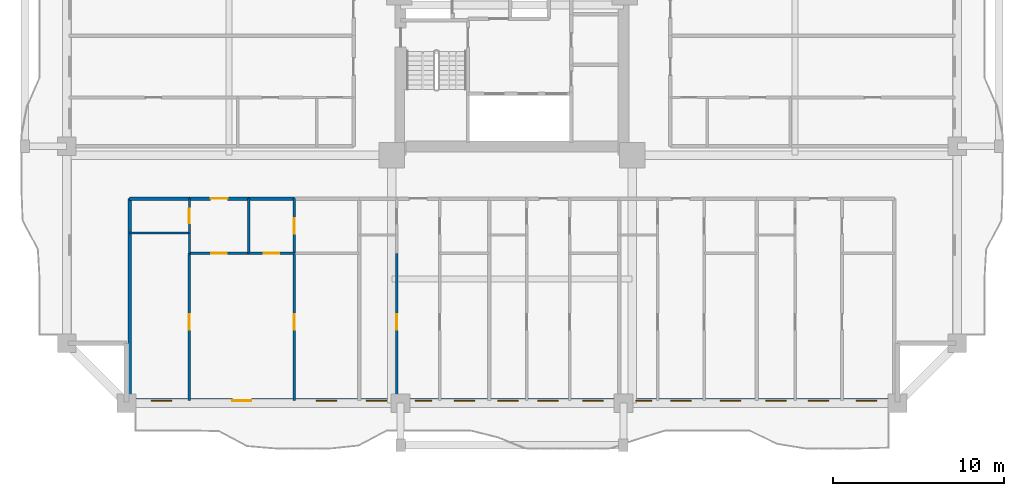
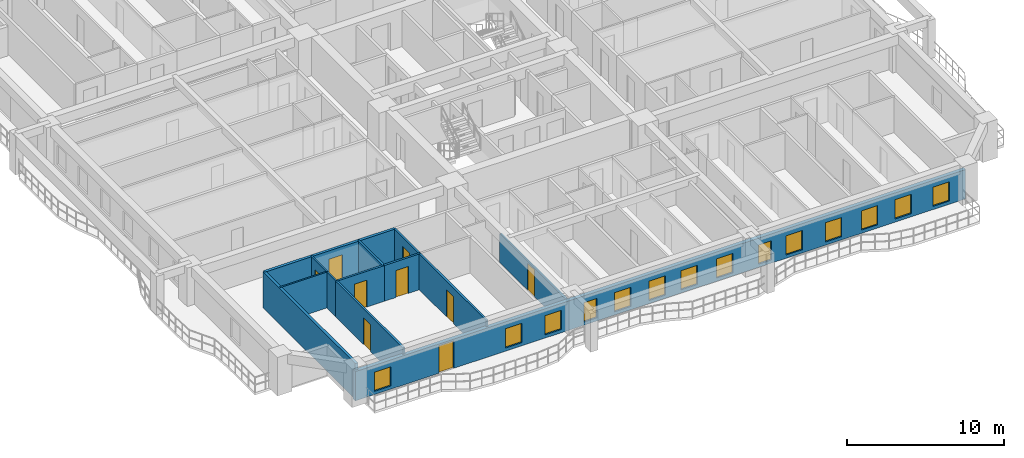
# One storey, part 2 of 16: 15 walls, 14 windows, 9 doors, 23 openings.
"""IFC4 building model written with IfcOpenShell, lengths in metres."""

import ifcopenshell
import ifcopenshell.guid

model = None  # the IFC model being written
_history = None  # IfcOwnerHistory: only IFC2X3 demands one
_inside = {}  # id of a spatial element -> (the spatial element, [elements in it])
_under = {}  # id of a project, library or spatial element -> (it, [spatial elements below it])
_declared = {}  # id of a project -> (the project, [libraries it declares])
_typed = {}  # id of a type object -> (the type object, [elements of that type])
_made_of = {}  # id of a material, layer set ... -> (it, [elements and type objects made of it])


def new_model(schema):
    """Start an empty IFC model of exactly this schema.

    Asked for "IFC4X3", IfcOpenShell would pick the latest addendum, in which some entities
    have other attributes; the version numbers below select the first issue.
    IFC2X3 requires an IfcOwnerHistory on every rooted entity: one is made here for all.
    """
    global model, _history
    if schema == "IFC4X3":
        model = ifcopenshell.file(schema_version=(4, 3, 0, 0))
    else:
        model = ifcopenshell.file(schema=schema)
    _inside.clear()
    _under.clear()
    _declared.clear()
    _typed.clear()
    _made_of.clear()
    _history = None
    if model.schema == "IFC2X3":
        org = make("IfcOrganization", Name="unknown")
        user = make(
            "IfcPersonAndOrganization",
            ThePerson=make("IfcPerson", FamilyName="unknown"),
            TheOrganization=org,
        )
        app = make(
            "IfcApplication",
            ApplicationDeveloper=org,
            Version="unknown",
            ApplicationFullName="unknown",
            ApplicationIdentifier="unknown",
        )
        _history = make(
            "IfcOwnerHistory",
            OwningUser=user,
            OwningApplication=app,
            ChangeAction="ADDED",
            CreationDate=0,
        )
    return model


def make(cls, **values):
    """One entity of the class cls with the attributes given. An attribute that is None is left unset."""
    return model.create_entity(
        cls, **{name: value for name, value in values.items() if value is not None}
    )


def rooted(cls, **values):
    """An entity with a GlobalId (a new one), such as an element, a storey or a relation."""
    return make(cls, GlobalId=ifcopenshell.guid.new(), OwnerHistory=_history, **values)


def si_unit(unit_type, name, prefix=None):
    """IfcSIUnit, for example si_unit("LENGTHUNIT", "METRE", prefix="MILLI")."""
    return make("IfcSIUnit", UnitType=unit_type, Prefix=prefix, Name=name)


def assignment(units):
    """IfcUnitAssignment: the units of a project."""
    return None if units is None else make("IfcUnitAssignment", Units=units)


def point(xyz):
    """IfcCartesianPoint."""
    return None if xyz is None else make("IfcCartesianPoint", Coordinates=xyz)


def direction(xyz):
    """IfcDirection."""
    return None if xyz is None else make("IfcDirection", DirectionRatios=xyz)


def frame(location, z_axis=None, x_axis=None):
    """IfcAxis2Placement3D, a coordinate frame: its origin and axes. An axis left out is left unset."""
    return make(
        "IfcAxis2Placement3D",
        Location=point(location),
        Axis=direction(z_axis),
        RefDirection=direction(x_axis),
    )


def frame_2d(location, x_axis=None):
    """IfcAxis2Placement2D, a coordinate frame in the plane: its origin and x axis."""
    return make(
        "IfcAxis2Placement2D", Location=point(location), RefDirection=direction(x_axis)
    )


def origin():
    """The frame at (0, 0, 0) with its axes left unset."""
    return frame((0.0, 0.0, 0.0))


def place(relative_to, where):
    """IfcLocalPlacement: puts the frame where relative to a parent placement (None: the world)."""
    return make(
        "IfcLocalPlacement", PlacementRelTo=relative_to, RelativePlacement=where
    )


def context(
    kind, dimensions, precision=None, world=None, true_north=None, identifier=None
):
    """IfcGeometricRepresentationContext, for example the 3D "Model" context."""
    return make(
        "IfcGeometricRepresentationContext",
        ContextIdentifier=identifier,
        ContextType=kind,
        CoordinateSpaceDimension=dimensions,
        Precision=precision,
        WorldCoordinateSystem=world,
        TrueNorth=true_north,
    )


def subcontext(parent, identifier, kind, view, scale=None):
    """IfcGeometricRepresentationSubContext, for example "Body" below "Model"."""
    return make(
        "IfcGeometricRepresentationSubContext",
        ContextIdentifier=identifier,
        ContextType=kind,
        ParentContext=parent,
        TargetScale=scale,
        TargetView=view,
    )


def project(units=None, contexts=None):
    """IfcProject with its units and contexts."""
    return rooted(
        "IfcProject",
        Name="project",
        RepresentationContexts=contexts,
        UnitsInContext=assignment(units),
    )


def spatial(cls, under=None, at=None, **own):
    """A site, building, storey or space (cls), placed at a placement, below another one or the project."""
    s = rooted(cls, ObjectPlacement=at, **own)
    if under is not None:
        _under.setdefault(under.id(), (under, []))[1].append(s)
    return s


def profile(cls, at=None, kind="AREA", **sizes):
    """A parametric profile (cls). Its sizes go by their IFC names, for example OverallWidth=200.0."""
    return make(cls, ProfileType=kind, Position=at, **sizes)


def rectangle(**sizes):
    """IfcRectangleProfileDef."""
    return profile("IfcRectangleProfileDef", **sizes)


def extrude(swept, where, along, depth):
    """IfcExtrudedAreaSolid: the profile swept, set in the frame where, extruded along a direction by depth."""
    return make(
        "IfcExtrudedAreaSolid",
        SweptArea=swept,
        Position=where,
        ExtrudedDirection=direction(along),
        Depth=depth,
    )


def shape(context_of_items, identifier, shape_type, items):
    """IfcShapeRepresentation: the items that make up one representation, for example the "Body"."""
    return make(
        "IfcShapeRepresentation",
        ContextOfItems=context_of_items,
        RepresentationIdentifier=identifier,
        RepresentationType=shape_type,
        Items=items,
    )


def source(mapping_origin, context_of_items, identifier, shape_type, items):
    """IfcRepresentationMap: a shape defined once, which mapped items show again and again."""
    return make(
        "IfcRepresentationMap",
        MappingOrigin=mapping_origin,
        MappedRepresentation=shape(context_of_items, identifier, shape_type, items),
    )


def transform(
    local_origin,
    x_axis=None,
    y_axis=None,
    z_axis=None,
    scale=None,
    scale2=None,
    scale3=None,
    uniform=True,
):
    """IfcCartesianTransformationOperator3D, or its non-uniform kind. x_axis, y_axis, z_axis: its Axis1, 2, 3."""
    if uniform:
        return make(
            "IfcCartesianTransformationOperator3D",
            Axis1=direction(x_axis),
            Axis2=direction(y_axis),
            LocalOrigin=point(local_origin),
            Scale=scale,
            Axis3=direction(z_axis),
        )
    return make(
        "IfcCartesianTransformationOperator3DnonUniform",
        Axis1=direction(x_axis),
        Axis2=direction(y_axis),
        LocalOrigin=point(local_origin),
        Scale=scale,
        Axis3=direction(z_axis),
        Scale2=scale2,
        Scale3=scale3,
    )


def mapped(mapping_source, mapping_target):
    """IfcMappedItem: shows the shape of a source again, moved by a transform."""
    return make(
        "IfcMappedItem", MappingSource=mapping_source, MappingTarget=mapping_target
    )


def material(Name=None, Category=None):
    """IfcMaterial."""
    return make("IfcMaterial", Name=Name, Category=Category)


def layer(
    of_material, thickness, ventilated=None, Name=None, Category=None, Priority=None
):
    """IfcMaterialLayer: one layer of a wall or slab, of a material (None: an air gap)."""
    return make(
        "IfcMaterialLayer",
        Material=of_material,
        LayerThickness=thickness,
        IsVentilated=ventilated,
        Name=Name,
        Category=Category,
        Priority=Priority,
    )


def layer_set(layers, Name=None):
    """IfcMaterialLayerSet."""
    return make("IfcMaterialLayerSet", MaterialLayers=layers, LayerSetName=Name)


def made_of(thing, what):
    """Note that an element or type object is made of a material, layer set ...; save() writes the relation."""
    if what is not None:
        _made_of.setdefault(what.id(), (what, []))[1].append(thing)
    return thing


def type_object(cls, material=None, **own):
    """A type object (cls), such as IfcWallType, which elements share."""
    return made_of(rooted(cls, **own), material)


def element(
    cls,
    number,
    at=None,
    inside=None,
    cuts=None,
    type_object=None,
    material=None,
    context=None,
    identifier="Body",
    shape_type=None,
    held_by="IfcProductDefinitionShape",
    body=None,
    shapes=None,
    **own,
):
    """One element of the class cls, such as IfcWall. Its Tag is "e" and its number.

    at: its placement. inside: the storey or other place that contains it. cuts: it is an
    opening in that element (IfcRelVoidsElement). A single representation is given by context,
    identifier, shape_type and body (its items); several are given by shapes. held_by: the class
    of the entity that holds the representations. save() writes the other relations.
    """
    e = rooted(cls, Tag="e%d" % number, ObjectPlacement=at, **own)
    if body is not None:
        shapes = [shape(context, identifier, shape_type, body)]
    if shapes is not None:
        e.Representation = make(held_by, Representations=shapes)
    if inside is not None:
        _inside.setdefault(inside.id(), (inside, []))[1].append(e)
    if cuts is not None:
        rooted(
            "IfcRelVoidsElement", RelatingBuildingElement=cuts, RelatedOpeningElement=e
        )
    if type_object is not None:
        _typed.setdefault(type_object.id(), (type_object, []))[1].append(e)
    return made_of(e, material)


def fill(opening, filler):
    """IfcRelFillsElement: the door or window that sits in an opening."""
    return rooted(
        "IfcRelFillsElement",
        RelatingOpeningElement=opening,
        RelatedBuildingElement=filler,
    )


def aggregate(whole, parts):
    """IfcRelAggregates: a whole, such as a stair, and the parts it consists of."""
    return rooted("IfcRelAggregates", RelatingObject=whole, RelatedObjects=parts)


def save(model, path):
    """Write the relations noted so far, then the file.

    IfcRelAggregates (storeys below a building ...), IfcRelContainedInSpatialStructure (elements
    in a storey), IfcRelDefinesByType, IfcRelAssociatesMaterial and IfcRelDeclares: one each for
    every whole, place, type object, material and project.
    """
    for whole, parts in _under.values():
        aggregate(whole, parts)
    for where, things in _inside.values():
        rooted(
            "IfcRelContainedInSpatialStructure",
            RelatedElements=things,
            RelatingStructure=where,
        )
    for kind, things in _typed.values():
        rooted("IfcRelDefinesByType", RelatedObjects=things, RelatingType=kind)
    for what, things in _made_of.values():
        rooted("IfcRelAssociatesMaterial", RelatedObjects=things, RelatingMaterial=what)
    for by, libraries in _declared.values():
        rooted("IfcRelDeclares", RelatingContext=by, RelatedDefinitions=libraries)
    model.write(path)


model = new_model("IFC4")

# Units and contexts
model_context = context("Model", 3, precision=1e-05, world=origin(), true_north=direction((0.0, 1.0)))
body_context = subcontext(model_context, "Body", "Model", "MODEL_VIEW")
ifc_project = project(units=[si_unit("LENGTHUNIT", "METRE"), si_unit("AREAUNIT", "SQUARE_METRE"), si_unit("VOLUMEUNIT", "CUBIC_METRE"), si_unit("PLANEANGLEUNIT", "RADIAN"), si_unit("MASSUNIT", "GRAM", prefix="KILO")], contexts=[model_context])

# Site, building, storey
site_placement = place(None, origin())
site = spatial("IfcSite", under=ifc_project, at=site_placement, CompositionType="ELEMENT")
building_placement = place(site_placement, origin())
building = spatial("IfcBuilding", under=site, at=building_placement, Name="Saelheon Loggia Tower", CompositionType="ELEMENT")
storey_placement = place(building_placement, frame((0.0, 0.0, 55.39990234375)))
storey = spatial("IfcBuildingStorey", under=building, at=storey_placement, Name="L17", CompositionType="ELEMENT", Elevation=55.39990234375)

# Wall, openings, windows, door
ifc_material_1 = material(Name="Architectural Precast Concrete C40/50", Category="concrete")
ifc_layer_1 = layer(ifc_material_1, 0.280029296875)
ifc_layer_set_1 = layer_set([ifc_layer_1], Name="Architectural Precast Concrete C40/50")
wall_type_1 = type_object("IfcWallType", Name="Wall_Ext_Loggia_280", PredefinedType="SOLIDWALL", material=ifc_layer_set_1)
wall_1_placement = place(storey_placement, frame((15.5, 3.139892578125, 0.0), z_axis=(0.0, 0.0, 1.0), x_axis=(1.0, 0.0, 0.0)))
wall_1 = element("IfcWall", 1, at=wall_1_placement, inside=storey, type_object=wall_type_1, Name="L17 South Loggia Inner Wall", PredefinedType="SOLIDWALL", context=body_context, shape_type="SweptSolid", body=[
    extrude(rectangle(XDim=45.0, YDim=0.280029296875, at=frame_2d((22.5, 0.0))), origin(), (0.0, 0.0, 1.0), 2.280029296875),
])
opening_1_placement = place(wall_1_placement, frame((1.42578125, 0.0, 0.25)))
opening_1 = element("IfcOpeningElement", 2, at=opening_1_placement, cuts=wall_1, Name="Opening WN-03", PredefinedType="OPENING", context=body_context, shape_type="SweptSolid", body=[
    extrude(rectangle(XDim=1.199951171875, YDim=1.5, at=frame_2d((0.60009765625, 0.75))), frame((0.0, 0.152099609375, 0.0), z_axis=(0.0, -1.0, 0.0), x_axis=(1.0, 0.0, 0.0)), (0.0, 0.0, 1.0), 0.303955078125),
])
opening_2_placement = place(wall_1_placement, frame((7.277587890625, 0.0, 0.0), z_axis=(0.0, 0.0, 1.0), x_axis=(-1.0, 0.0, 0.0)))
opening_2 = element("IfcOpeningElement", 3, at=opening_2_placement, cuts=wall_1, Name="Opening TD1", PredefinedType="OPENING", context=body_context, shape_type="SweptSolid", body=[
    extrude(rectangle(XDim=1.10009765625, YDim=2.14990234375, at=frame_2d((0.550048828125, 1.074951171875))), frame((0.0, 0.152099609375, 0.0), z_axis=(0.0, -1.0, 0.0), x_axis=(1.0, 0.0, 0.0)), (0.0, 0.0, 1.0), 0.303955078125),
])
opening_3_placement = place(wall_1_placement, frame((11.08251953125, 0.0, 0.25)))
opening_3 = element("IfcOpeningElement", 4, at=opening_3_placement, cuts=wall_1, Name="Opening WN-03", PredefinedType="OPENING", context=body_context, shape_type="SweptSolid", body=[
    extrude(rectangle(XDim=1.199951171875, YDim=1.5, at=frame_2d((0.60009765625, 0.75))), frame((0.0, 0.152099609375, 0.0), z_axis=(0.0, -1.0, 0.0), x_axis=(1.0, 0.0, 0.0)), (0.0, 0.0, 1.0), 0.303955078125),
])
opening_4_placement = place(wall_1_placement, frame((13.990966796875, 0.0, 0.25)))
opening_4 = element("IfcOpeningElement", 5, at=opening_4_placement, cuts=wall_1, Name="Opening WN-03", PredefinedType="OPENING", context=body_context, shape_type="SweptSolid", body=[
    extrude(rectangle(XDim=1.199951171875, YDim=1.5, at=frame_2d((0.60009765625, 0.75))), frame((0.0, 0.152099609375, 0.0), z_axis=(0.0, -1.0, 0.0), x_axis=(1.0, 0.0, 0.0)), (0.0, 0.0, 1.0), 0.303955078125),
])
opening_5_placement = place(wall_1_placement, frame((16.8583984375, 0.0, 0.25)))
opening_5 = element("IfcOpeningElement", 6, at=opening_5_placement, cuts=wall_1, Name="Opening WN-04", PredefinedType="OPENING", context=body_context, shape_type="SweptSolid", body=[
    extrude(rectangle(XDim=0.949951171875, YDim=1.5, at=frame_2d((0.47509765625, 0.75))), frame((0.0, 0.152099609375, 0.0), z_axis=(0.0, -1.0, 0.0), x_axis=(1.0, 0.0, 0.0)), (0.0, 0.0, 1.0), 0.303955078125),
])
opening_6_placement = place(wall_1_placement, frame((19.118896484375, 0.0, 0.25)))
opening_6 = element("IfcOpeningElement", 7, at=opening_6_placement, cuts=wall_1, Name="Opening WN-03", PredefinedType="OPENING", context=body_context, shape_type="SweptSolid", body=[
    extrude(rectangle(XDim=1.199951171875, YDim=1.5, at=frame_2d((0.60009765625, 0.75))), frame((0.0, 0.152099609375, 0.0), z_axis=(0.0, -1.0, 0.0), x_axis=(1.0, 0.0, 0.0)), (0.0, 0.0, 1.0), 0.303955078125),
])
opening_7_placement = place(wall_1_placement, frame((21.660888671875, 0.0, 0.25)))
opening_7 = element("IfcOpeningElement", 8, at=opening_7_placement, cuts=wall_1, Name="Opening WN-03", PredefinedType="OPENING", context=body_context, shape_type="SweptSolid", body=[
    extrude(rectangle(XDim=1.199951171875, YDim=1.5, at=frame_2d((0.60009765625, 0.75))), frame((0.0, 0.152099609375, 0.0), z_axis=(0.0, -1.0, 0.0), x_axis=(1.0, 0.0, 0.0)), (0.0, 0.0, 1.0), 0.303955078125),
])
opening_8_placement = place(wall_1_placement, frame((24.01318359375, 0.0, 0.25)))
opening_8 = element("IfcOpeningElement", 9, at=opening_8_placement, cuts=wall_1, Name="Opening WN-03", PredefinedType="OPENING", context=body_context, shape_type="SweptSolid", body=[
    extrude(rectangle(XDim=1.199951171875, YDim=1.5, at=frame_2d((0.60009765625, 0.75))), frame((0.0, 0.152099609375, 0.0), z_axis=(0.0, -1.0, 0.0), x_axis=(1.0, 0.0, 0.0)), (0.0, 0.0, 1.0), 0.303955078125),
])
opening_9_placement = place(wall_1_placement, frame((26.637939453125, 0.0, 0.25)))
opening_9 = element("IfcOpeningElement", 10, at=opening_9_placement, cuts=wall_1, Name="Opening WN-03", PredefinedType="OPENING", context=body_context, shape_type="SweptSolid", body=[
    extrude(rectangle(XDim=1.199951171875, YDim=1.5, at=frame_2d((0.60009765625, 0.75))), frame((0.0, 0.152099609375, 0.0), z_axis=(0.0, -1.0, 0.0), x_axis=(1.0, 0.0, 0.0)), (0.0, 0.0, 1.0), 0.303955078125),
])
opening_10_placement = place(wall_1_placement, frame((29.7197265625, 0.0, 0.25)))
opening_10 = element("IfcOpeningElement", 11, at=opening_10_placement, cuts=wall_1, Name="Opening WN-04", PredefinedType="OPENING", context=body_context, shape_type="SweptSolid", body=[
    extrude(rectangle(XDim=0.949951171875, YDim=1.5, at=frame_2d((0.47509765625, 0.75))), frame((0.0, 0.152099609375, 0.0), z_axis=(0.0, -1.0, 0.0), x_axis=(1.0, 0.0, 0.0)), (0.0, 0.0, 1.0), 0.303955078125),
])
opening_11_placement = place(wall_1_placement, frame((31.765380859375, 0.0, 0.25)))
opening_11 = element("IfcOpeningElement", 12, at=opening_11_placement, cuts=wall_1, Name="Opening WN-03", PredefinedType="OPENING", context=body_context, shape_type="SweptSolid", body=[
    extrude(rectangle(XDim=1.199951171875, YDim=1.5, at=frame_2d((0.60009765625, 0.75))), frame((0.0, 0.152099609375, 0.0), z_axis=(0.0, -1.0, 0.0), x_axis=(1.0, 0.0, 0.0)), (0.0, 0.0, 1.0), 0.303955078125),
])
opening_12_placement = place(wall_1_placement, frame((34.658203125, 0.0, 0.25)))
opening_12 = element("IfcOpeningElement", 13, at=opening_12_placement, cuts=wall_1, Name="Opening WN-03", PredefinedType="OPENING", context=body_context, shape_type="SweptSolid", body=[
    extrude(rectangle(XDim=1.199951171875, YDim=1.5, at=frame_2d((0.60009765625, 0.75))), frame((0.0, 0.152099609375, 0.0), z_axis=(0.0, -1.0, 0.0), x_axis=(1.0, 0.0, 0.0)), (0.0, 0.0, 1.0), 0.303955078125),
])
opening_13_placement = place(wall_1_placement, frame((37.309814453125, 0.0, 0.25)))
opening_13 = element("IfcOpeningElement", 14, at=opening_13_placement, cuts=wall_1, Name="Opening WN-03", PredefinedType="OPENING", context=body_context, shape_type="SweptSolid", body=[
    extrude(rectangle(XDim=1.199951171875, YDim=1.5, at=frame_2d((0.60009765625, 0.75))), frame((0.0, 0.152099609375, 0.0), z_axis=(0.0, -1.0, 0.0), x_axis=(1.0, 0.0, 0.0)), (0.0, 0.0, 1.0), 0.303955078125),
])
opening_14_placement = place(wall_1_placement, frame((39.800537109375, 0.0, 0.25)))
opening_14 = element("IfcOpeningElement", 15, at=opening_14_placement, cuts=wall_1, Name="Opening WN-03", PredefinedType="OPENING", context=body_context, shape_type="SweptSolid", body=[
    extrude(rectangle(XDim=1.199951171875, YDim=1.5, at=frame_2d((0.60009765625, 0.75))), frame((0.0, 0.152099609375, 0.0), z_axis=(0.0, -1.0, 0.0), x_axis=(1.0, 0.0, 0.0)), (0.0, 0.0, 1.0), 0.303955078125),
])
opening_15_placement = place(wall_1_placement, frame((42.58837890625, 0.0, 0.25)))
opening_15 = element("IfcOpeningElement", 16, at=opening_15_placement, cuts=wall_1, Name="Opening WN-03", PredefinedType="OPENING", context=body_context, shape_type="SweptSolid", body=[
    extrude(rectangle(XDim=1.199951171875, YDim=1.5, at=frame_2d((0.60009765625, 0.75))), frame((0.0, 0.152099609375, 0.0), z_axis=(0.0, -1.0, 0.0), x_axis=(1.0, 0.0, 0.0)), (0.0, 0.0, 1.0), 0.303955078125),
])
ifc_material_2 = material(Name="Thermal-Break Aluminium and Triple Low-E Glass", Category="aluminium")
window_type_1 = type_object("IfcWindowType", Name="Win_Bedroom_1200x1500", PartitioningType="SINGLE_PANEL", PredefinedType="WINDOW", material=ifc_material_2)
shared_shape_1 = source(origin(), body_context, "Body", "SweptSolid", [
    extrude(rectangle(XDim=1.199951171875, YDim=1.5, at=frame_2d((0.60009765625, 0.75))), frame((0.0, 0.030029296875, 0.0), z_axis=(0.0, -1.0, 0.0), x_axis=(1.0, 0.0, 0.0)), (0.0, 0.0, 1.0), 0.06005859375),
])
window_1_placement = place(opening_1_placement, origin())
window_1 = element("IfcWindow", 17, at=window_1_placement, inside=storey, type_object=window_type_1, Name="L17 S Dwelling Window 1", OverallHeight=1.5, OverallWidth=1.199951171875, PartitioningType="SINGLE_PANEL", PredefinedType="WINDOW", context=body_context, shape_type="MappedRepresentation", body=[
    mapped(shared_shape_1, transform((0.0, 0.0, 0.0), scale=1.0)),
])
fill(opening_1, window_1)
window_2_placement = place(opening_3_placement, origin())
window_2 = element("IfcWindow", 18, at=window_2_placement, inside=storey, type_object=window_type_1, Name="L17 S Dwelling Window 3", OverallHeight=1.5, OverallWidth=1.199951171875, PartitioningType="SINGLE_PANEL", PredefinedType="WINDOW", context=body_context, shape_type="MappedRepresentation", body=[
    mapped(shared_shape_1, transform((0.0, 0.0, 0.0), scale=1.0)),
])
fill(opening_3, window_2)
window_3_placement = place(opening_4_placement, origin())
window_3 = element("IfcWindow", 19, at=window_3_placement, inside=storey, type_object=window_type_1, Name="L17 S Dwelling Window 4", OverallHeight=1.5, OverallWidth=1.199951171875, PartitioningType="SINGLE_PANEL", PredefinedType="WINDOW", context=body_context, shape_type="MappedRepresentation", body=[
    mapped(shared_shape_1, transform((0.0, 0.0, 0.0), scale=1.0)),
])
fill(opening_4, window_3)
window_4_placement = place(opening_6_placement, origin())
window_4 = element("IfcWindow", 20, at=window_4_placement, inside=storey, type_object=window_type_1, Name="L17 S Dwelling Window 6", OverallHeight=1.5, OverallWidth=1.199951171875, PartitioningType="SINGLE_PANEL", PredefinedType="WINDOW", context=body_context, shape_type="MappedRepresentation", body=[
    mapped(shared_shape_1, transform((0.0, 0.0, 0.0), scale=1.0)),
])
fill(opening_6, window_4)
window_5_placement = place(opening_7_placement, origin())
window_5 = element("IfcWindow", 21, at=window_5_placement, inside=storey, type_object=window_type_1, Name="L17 S Dwelling Window 7", OverallHeight=1.5, OverallWidth=1.199951171875, PartitioningType="SINGLE_PANEL", PredefinedType="WINDOW", context=body_context, shape_type="MappedRepresentation", body=[
    mapped(shared_shape_1, transform((0.0, 0.0, 0.0), scale=1.0)),
])
fill(opening_7, window_5)
window_6_placement = place(opening_8_placement, origin())
window_6 = element("IfcWindow", 22, at=window_6_placement, inside=storey, type_object=window_type_1, Name="L17 S Dwelling Window 8", OverallHeight=1.5, OverallWidth=1.199951171875, PartitioningType="SINGLE_PANEL", PredefinedType="WINDOW", context=body_context, shape_type="MappedRepresentation", body=[
    mapped(shared_shape_1, transform((0.0, 0.0, 0.0), scale=1.0)),
])
fill(opening_8, window_6)
window_7_placement = place(opening_9_placement, origin())
window_7 = element("IfcWindow", 23, at=window_7_placement, inside=storey, type_object=window_type_1, Name="L17 S Dwelling Window 9", OverallHeight=1.5, OverallWidth=1.199951171875, PartitioningType="SINGLE_PANEL", PredefinedType="WINDOW", context=body_context, shape_type="MappedRepresentation", body=[
    mapped(shared_shape_1, transform((0.0, 0.0, 0.0), scale=1.0)),
])
fill(opening_9, window_7)
window_8_placement = place(opening_11_placement, origin())
window_8 = element("IfcWindow", 24, at=window_8_placement, inside=storey, type_object=window_type_1, Name="L17 S Dwelling Window 11", OverallHeight=1.5, OverallWidth=1.199951171875, PartitioningType="SINGLE_PANEL", PredefinedType="WINDOW", context=body_context, shape_type="MappedRepresentation", body=[
    mapped(shared_shape_1, transform((0.0, 0.0, 0.0), scale=1.0)),
])
fill(opening_11, window_8)
window_9_placement = place(opening_12_placement, origin())
window_9 = element("IfcWindow", 25, at=window_9_placement, inside=storey, type_object=window_type_1, Name="L17 S Dwelling Window 12", OverallHeight=1.5, OverallWidth=1.199951171875, PartitioningType="SINGLE_PANEL", PredefinedType="WINDOW", context=body_context, shape_type="MappedRepresentation", body=[
    mapped(shared_shape_1, transform((0.0, 0.0, 0.0), scale=1.0)),
])
fill(opening_12, window_9)
window_10_placement = place(opening_13_placement, origin())
window_10 = element("IfcWindow", 26, at=window_10_placement, inside=storey, type_object=window_type_1, Name="L17 S Dwelling Window 13", OverallHeight=1.5, OverallWidth=1.199951171875, PartitioningType="SINGLE_PANEL", PredefinedType="WINDOW", context=body_context, shape_type="MappedRepresentation", body=[
    mapped(shared_shape_1, transform((0.0, 0.0, 0.0), scale=1.0)),
])
fill(opening_13, window_10)
window_11_placement = place(opening_14_placement, origin())
window_11 = element("IfcWindow", 27, at=window_11_placement, inside=storey, type_object=window_type_1, Name="L17 S Dwelling Window 14", OverallHeight=1.5, OverallWidth=1.199951171875, PartitioningType="SINGLE_PANEL", PredefinedType="WINDOW", context=body_context, shape_type="MappedRepresentation", body=[
    mapped(shared_shape_1, transform((0.0, 0.0, 0.0), scale=1.0)),
])
fill(opening_14, window_11)
window_12_placement = place(opening_15_placement, origin())
window_12 = element("IfcWindow", 28, at=window_12_placement, inside=storey, type_object=window_type_1, Name="L17 S Dwelling Window 15", OverallHeight=1.5, OverallWidth=1.199951171875, PartitioningType="SINGLE_PANEL", PredefinedType="WINDOW", context=body_context, shape_type="MappedRepresentation", body=[
    mapped(shared_shape_1, transform((0.0, 0.0, 0.0), scale=1.0)),
])
fill(opening_15, window_12)
ifc_material_3 = material(Name="Thermal-Break Aluminium Glazed Door", Category="aluminium")
door_type_1 = type_object("IfcDoorType", Name="Door_Terrace_TD1", OperationType="NOTDEFINED", PredefinedType="DOOR", material=ifc_material_3)
shared_shape_2 = source(origin(), body_context, "Body", "SweptSolid", [
    extrude(rectangle(XDim=1.10009765625, YDim=2.14990234375, at=frame_2d((0.550048828125, 1.074951171875))), frame((0.0, 0.02490234375, 0.0), z_axis=(0.0, -1.0, 0.0), x_axis=(1.0, 0.0, 0.0)), (0.0, 0.0, 1.0), 0.050048828125),
])
door_1_placement = place(opening_2_placement, origin())
door_1 = element("IfcDoor", 29, at=door_1_placement, inside=storey, type_object=door_type_1, Name="L17 S Loggia Access Door", OperationType="SINGLE_SWING_RIGHT", OverallHeight=2.14990234375, OverallWidth=1.10009765625, PredefinedType="DOOR", context=body_context, shape_type="MappedRepresentation", body=[
    mapped(shared_shape_2, transform((0.0, 0.0, 0.0), scale=1.0)),
])
fill(opening_2, door_1)
window_type_2 = type_object("IfcWindowType", Name="Win_Narrow_950x1500", PartitioningType="SINGLE_PANEL", PredefinedType="WINDOW", material=ifc_material_2)
shared_shape_3 = source(origin(), body_context, "Body", "SweptSolid", [
    extrude(rectangle(XDim=0.949951171875, YDim=1.5, at=frame_2d((0.47509765625, 0.75))), frame((0.0, 0.030029296875, 0.0), z_axis=(0.0, -1.0, 0.0), x_axis=(1.0, 0.0, 0.0)), (0.0, 0.0, 1.0), 0.06005859375),
])
window_13_placement = place(opening_5_placement, origin())
window_13 = element("IfcWindow", 30, at=window_13_placement, inside=storey, type_object=window_type_2, Name="L17 S Dwelling Window 5", OverallHeight=1.5, OverallWidth=0.949951171875, PartitioningType="SINGLE_PANEL", PredefinedType="WINDOW", context=body_context, shape_type="MappedRepresentation", body=[
    mapped(shared_shape_3, transform((0.0, 0.0, 0.0), scale=1.0)),
])
fill(opening_5, window_13)
window_14_placement = place(opening_10_placement, origin())
window_14 = element("IfcWindow", 31, at=window_14_placement, inside=storey, type_object=window_type_2, Name="L17 S Dwelling Window 10", OverallHeight=1.5, OverallWidth=0.949951171875, PartitioningType="SINGLE_PANEL", PredefinedType="WINDOW", context=body_context, shape_type="MappedRepresentation", body=[
    mapped(shared_shape_3, transform((0.0, 0.0, 0.0), scale=1.0)),
])
fill(opening_10, window_14)

# Wall
ifc_material_4 = material(Name="Lightweight Autoclaved Aerated Concrete Block and Acoustic Gypsum", Category="concrete")
ifc_layer_2 = layer(ifc_material_4, 0.14990234375)
ifc_layer_set_2 = layer_set([ifc_layer_2], Name="Lightweight Autoclaved Aerated Concrete Block and Acoustic Gypsum")
wall_type_2 = type_object("IfcWallType", Name="Wall_Part_150", PredefinedType="PARTITIONING", material=ifc_layer_set_2)
wall_2_placement = place(storey_placement, frame((22.642822265625, 14.949951171875, 0.0), z_axis=(0.0, 0.0, 1.0), x_axis=(0.0, -1.0, 0.0)))
element("IfcWall", 32, at=wall_2_placement, inside=storey, type_object=wall_type_2, Name="L17 S Partition U06", PredefinedType="PARTITIONING", context=body_context, shape_type="SweptSolid", body=[
    extrude(rectangle(XDim=3.199951171875, YDim=0.14990234375, at=frame_2d((1.60009765625, 0.0))), origin(), (0.0, 0.0, 1.0), 2.7900390625),
])

# Wall, opening, door
wall_3_placement = place(storey_placement, frame((19.161865234375, 11.75, 0.0), z_axis=(0.0, 0.0, 1.0), x_axis=(1.0, 0.0, 0.0)))
wall_3 = element("IfcWall", 33, at=wall_3_placement, inside=storey, type_object=wall_type_2, Name="L17 S Partition V07", PredefinedType="PARTITIONING", context=body_context, shape_type="SweptSolid", body=[
    extrude(rectangle(XDim=3.48095703125, YDim=0.14990234375, at=frame_2d((1.740478515625, 0.0))), origin(), (0.0, 0.0, 1.0), 2.7900390625),
])
opening_16_placement = place(wall_3_placement, frame((1.29052734375, 0.0, 0.0)))
opening_16 = element("IfcOpeningElement", 34, at=opening_16_placement, cuts=wall_3, Name="Opening D-IN2", PredefinedType="OPENING", context=body_context, shape_type="SweptSolid", body=[
    extrude(rectangle(XDim=0.89990234375, YDim=2.10009765625, at=frame_2d((0.449951171875, 1.050048828125))), frame((0.0, 0.0869140625, 0.0), z_axis=(0.0, -1.0, 0.0), x_axis=(1.0, 0.0, 0.0)), (0.0, 0.0, 1.0), 0.173828125),
])
ifc_material_5 = material(Name="Engineered Oak Flush Door", Category="timber")
door_type_2 = type_object("IfcDoorType", Name="Door_Int_900", OperationType="NOTDEFINED", PredefinedType="DOOR", material=ifc_material_5)
shared_shape_4 = source(origin(), body_context, "Body", "SweptSolid", [
    extrude(rectangle(XDim=0.89990234375, YDim=2.10009765625, at=frame_2d((0.449951171875, 1.050048828125))), frame((0.0, 0.02490234375, 0.0), z_axis=(0.0, -1.0, 0.0), x_axis=(1.0, 0.0, 0.0)), (0.0, 0.0, 1.0), 0.050048828125),
])
door_2_placement = place(opening_16_placement, origin())
door_2 = element("IfcDoor", 35, at=door_2_placement, inside=storey, type_object=door_type_2, Name="Unit U01 Living Door", OperationType="SINGLE_SWING_RIGHT", OverallHeight=2.10009765625, OverallWidth=0.89990234375, PredefinedType="DOOR", context=body_context, shape_type="MappedRepresentation", body=[
    mapped(shared_shape_4, transform((0.0, 0.0, 0.0), scale=1.0)),
])
fill(opening_16, door_2)

wall_4_placement = place(storey_placement, frame((22.642822265625, 11.75, 0.0), z_axis=(0.0, 0.0, 1.0), x_axis=(1.0, 0.0, 0.0)))
wall_4 = element("IfcWall", 36, at=wall_4_placement, inside=storey, type_object=wall_type_2, Name="L17 S Partition V08", PredefinedType="PARTITIONING", context=body_context, shape_type="SweptSolid", body=[
    extrude(rectangle(XDim=2.650146484375, YDim=0.14990234375, at=frame_2d((1.3251953125, 0.0))), origin(), (0.0, 0.0, 1.0), 2.7900390625),
])
opening_17_placement = place(wall_4_placement, frame((0.875, 0.0, 0.0)))
opening_17 = element("IfcOpeningElement", 37, at=opening_17_placement, cuts=wall_4, Name="Opening D-IN2", PredefinedType="OPENING", context=body_context, shape_type="SweptSolid", body=[
    extrude(rectangle(XDim=0.89990234375, YDim=2.10009765625, at=frame_2d((0.449951171875, 1.050048828125))), frame((0.0, 0.0869140625, 0.0), z_axis=(0.0, -1.0, 0.0), x_axis=(1.0, 0.0, 0.0)), (0.0, 0.0, 1.0), 0.173828125),
])
door_3_placement = place(opening_17_placement, origin())
door_3 = element("IfcDoor", 38, at=door_3_placement, inside=storey, type_object=door_type_2, Name="Unit U01 Dressing Closet Door", OperationType="SINGLE_SWING_LEFT", OverallHeight=2.10009765625, OverallWidth=0.89990234375, PredefinedType="DOOR", context=body_context, shape_type="MappedRepresentation", body=[
    mapped(shared_shape_4, transform((0.0, 0.0, 0.0), scale=1.0)),
])
fill(opening_17, door_3)

wall_5_placement = place(storey_placement, frame((19.161865234375, 11.75, 0.0), z_axis=(0.0, 0.0, 1.0), x_axis=(0.0, -1.0, 0.0)))
wall_5 = element("IfcWall", 39, at=wall_5_placement, inside=storey, type_object=wall_type_2, Name="L17 S Partition U14", PredefinedType="PARTITIONING", context=body_context, shape_type="SweptSolid", body=[
    extrude(rectangle(XDim=8.60009765625, YDim=0.14990234375, at=frame_2d((4.300048828125, 0.0))), origin(), (0.0, 0.0, 1.0), 2.7900390625),
])
opening_18_placement = place(wall_5_placement, frame((3.54931640625, 0.0, 0.0)))
opening_18 = element("IfcOpeningElement", 40, at=opening_18_placement, cuts=wall_5, Name="Opening D-IN2", PredefinedType="OPENING", context=body_context, shape_type="SweptSolid", body=[
    extrude(rectangle(XDim=0.89990234375, YDim=2.10009765625, at=frame_2d((0.449951171875, 1.050048828125))), frame((0.0, 0.0869140625, 0.0), z_axis=(0.0, -1.0, 0.0), x_axis=(1.0, 0.0, 0.0)), (0.0, 0.0, 1.0), 0.173828125),
])
door_4_placement = place(opening_18_placement, origin())
door_4 = element("IfcDoor", 41, at=door_4_placement, inside=storey, type_object=door_type_2, Name="Unit U01 Bedroom 2 Door", OperationType="SINGLE_SWING_LEFT", OverallHeight=2.10009765625, OverallWidth=0.89990234375, PredefinedType="DOOR", context=body_context, shape_type="MappedRepresentation", body=[
    mapped(shared_shape_4, transform((0.0, 0.0, 0.0), scale=1.0)),
])
fill(opening_18, door_4)

wall_6_placement = place(storey_placement, frame((25.29296875, 14.949951171875, 0.0), z_axis=(0.0, 0.0, 1.0), x_axis=(0.0, -1.0, 0.0)))
wall_6 = element("IfcWall", 42, at=wall_6_placement, inside=storey, type_object=wall_type_2, Name="L17 S Partition U15", PredefinedType="PARTITIONING", context=body_context, shape_type="SweptSolid", body=[
    extrude(rectangle(XDim=3.199951171875, YDim=0.14990234375, at=frame_2d((1.60009765625, 0.0))), origin(), (0.0, 0.0, 1.0), 2.7900390625),
])
opening_19_placement = place(wall_6_placement, frame((1.14990234375, 0.0, 0.0)))
opening_19 = element("IfcOpeningElement", 43, at=opening_19_placement, cuts=wall_6, Name="Opening D-IN2", PredefinedType="OPENING", context=body_context, shape_type="SweptSolid", body=[
    extrude(rectangle(XDim=0.89990234375, YDim=2.10009765625, at=frame_2d((0.449951171875, 1.050048828125))), frame((0.0, 0.0869140625, 0.0), z_axis=(0.0, -1.0, 0.0), x_axis=(1.0, 0.0, 0.0)), (0.0, 0.0, 1.0), 0.173828125),
])
door_5_placement = place(opening_19_placement, origin())
door_5 = element("IfcDoor", 44, at=door_5_placement, inside=storey, type_object=door_type_2, Name="Unit U01 Kitchen Door", OperationType="SINGLE_SWING_RIGHT", OverallHeight=2.10009765625, OverallWidth=0.89990234375, PredefinedType="DOOR", context=body_context, shape_type="MappedRepresentation", body=[
    mapped(shared_shape_4, transform((0.0, 0.0, 0.0), scale=1.0)),
])
fill(opening_19, door_5)

wall_7_placement = place(storey_placement, frame((25.29296875, 11.75, 0.0), z_axis=(0.0, 0.0, 1.0), x_axis=(0.0, -1.0, 0.0)))
wall_7 = element("IfcWall", 45, at=wall_7_placement, inside=storey, type_object=wall_type_2, Name="L17 S Partition U16", PredefinedType="PARTITIONING", context=body_context, shape_type="SweptSolid", body=[
    extrude(rectangle(XDim=8.60009765625, YDim=0.14990234375, at=frame_2d((4.300048828125, 0.0))), origin(), (0.0, 0.0, 1.0), 2.7900390625),
])
opening_20_placement = place(wall_7_placement, frame((3.54931640625, 0.0, 0.0)))
opening_20 = element("IfcOpeningElement", 46, at=opening_20_placement, cuts=wall_7, Name="Opening D-IN2", PredefinedType="OPENING", context=body_context, shape_type="SweptSolid", body=[
    extrude(rectangle(XDim=0.89990234375, YDim=2.10009765625, at=frame_2d((0.449951171875, 1.050048828125))), frame((0.0, 0.0869140625, 0.0), z_axis=(0.0, -1.0, 0.0), x_axis=(1.0, 0.0, 0.0)), (0.0, 0.0, 1.0), 0.173828125),
])
door_6_placement = place(opening_20_placement, origin())
door_6 = element("IfcDoor", 47, at=door_6_placement, inside=storey, type_object=door_type_2, Name="Unit U01 Bedroom 1 Door", OperationType="SINGLE_SWING_LEFT", OverallHeight=2.10009765625, OverallWidth=0.89990234375, PredefinedType="DOOR", context=body_context, shape_type="MappedRepresentation", body=[
    mapped(shared_shape_4, transform((0.0, 0.0, 0.0), scale=1.0)),
])
fill(opening_20, door_6)

wall_8_placement = place(storey_placement, frame((31.27197265625, 11.75, 0.0), z_axis=(0.0, 0.0, 1.0), x_axis=(0.0, -1.0, 0.0)))
wall_8 = element("IfcWall", 48, at=wall_8_placement, inside=storey, type_object=wall_type_2, Name="L17 S Partition U25", PredefinedType="PARTITIONING", context=body_context, shape_type="SweptSolid", body=[
    extrude(rectangle(XDim=8.60009765625, YDim=0.14990234375, at=frame_2d((4.300048828125, 0.0))), origin(), (0.0, 0.0, 1.0), 2.239990234375),
])
opening_21_placement = place(wall_8_placement, frame((3.54931640625, 0.0, 0.0)))
opening_21 = element("IfcOpeningElement", 49, at=opening_21_placement, cuts=wall_8, Name="Opening D-IN2", PredefinedType="OPENING", context=body_context, shape_type="SweptSolid", body=[
    extrude(rectangle(XDim=0.89990234375, YDim=2.10009765625, at=frame_2d((0.449951171875, 1.050048828125))), frame((0.0, 0.0869140625, 0.0), z_axis=(0.0, -1.0, 0.0), x_axis=(1.0, 0.0, 0.0)), (0.0, 0.0, 1.0), 0.173828125),
])
door_7_placement = place(opening_21_placement, origin())
door_7 = element("IfcDoor", 50, at=door_7_placement, inside=storey, type_object=door_type_2, Name="Unit U02 Kitchen Door", OperationType="SINGLE_SWING_RIGHT", OverallHeight=2.10009765625, OverallWidth=0.89990234375, PredefinedType="DOOR", context=body_context, shape_type="MappedRepresentation", body=[
    mapped(shared_shape_4, transform((0.0, 0.0, 0.0), scale=1.0)),
])
fill(opening_21, door_7)

# Walls
ifc_material_6 = material(Name="Double Acoustic Stud and Fireboard Partition", Category="gypsum")
ifc_layer_3 = layer(ifc_material_6, 0.199951171875)
ifc_layer_set_3 = layer_set([ifc_layer_3], Name="Double Acoustic Stud and Fireboard Partition")
wall_type_3 = type_object("IfcWallType", Name="Wall_Party_200", PredefinedType="PARTITIONING", material=ifc_layer_set_3)
wall_9_placement = place(storey_placement, frame((15.679931640625, 14.949951171875, 0.0), z_axis=(0.0, 0.0, 1.0), x_axis=(0.0, -1.0, 0.0)))
element("IfcWall", 51, at=wall_9_placement, inside=storey, type_object=wall_type_3, Name="L17 S Partition U01", PredefinedType="PARTITIONING", context=body_context, shape_type="SweptSolid", body=[
    extrude(rectangle(XDim=11.800048828125, YDim=0.199951171875, at=frame_2d((5.89990234375, 0.0))), origin(), (0.0, 0.0, 1.0), 2.7900390625),
])
wall_10_placement = place(storey_placement, frame((15.679931640625, 14.949951171875, 0.0), z_axis=(0.0, 0.0, 1.0), x_axis=(1.0, 0.0, 0.0)))
element("IfcWall", 52, at=wall_10_placement, inside=storey, type_object=wall_type_3, Name="L17 S Partition V03", PredefinedType="PARTITIONING", context=body_context, shape_type="SweptSolid", body=[
    extrude(rectangle(XDim=3.48193359375, YDim=0.199951171875, at=frame_2d((1.740966796875, 0.0))), origin(), (0.0, 0.0, 1.0), 2.7900390625),
])

# Wall, opening, door
wall_11_placement = place(storey_placement, frame((19.161865234375, 14.949951171875, 0.0), z_axis=(0.0, 0.0, 1.0), x_axis=(1.0, 0.0, 0.0)))
wall_11 = element("IfcWall", 53, at=wall_11_placement, inside=storey, type_object=wall_type_3, Name="L17 S Partition V04", PredefinedType="PARTITIONING", context=body_context, shape_type="SweptSolid", body=[
    extrude(rectangle(XDim=3.48095703125, YDim=0.199951171875, at=frame_2d((1.740478515625, 0.0))), origin(), (0.0, 0.0, 1.0), 2.7900390625),
])
opening_22_placement = place(wall_11_placement, frame((1.240478515625, 0.0, 0.0)))
opening_22 = element("IfcOpeningElement", 54, at=opening_22_placement, cuts=wall_11, Name="Opening D-FD1", PredefinedType="OPENING", context=body_context, shape_type="SweptSolid", body=[
    extrude(rectangle(XDim=1.0, YDim=2.14990234375, at=frame_2d((0.5, 1.074951171875))), frame((0.0, 0.112060546875, 0.0), z_axis=(0.0, -1.0, 0.0), x_axis=(1.0, 0.0, 0.0)), (0.0, 0.0, 1.0), 0.223876953125),
])
ifc_material_7 = material(Name="Fire-Rated Engineered Timber Entrance Door", Category="wood")
door_type_3 = type_object("IfcDoorType", Name="Door_Flat_FD30S", OperationType="NOTDEFINED", PredefinedType="DOOR", material=ifc_material_7)
shared_shape_5 = source(origin(), body_context, "Body", "SweptSolid", [
    extrude(rectangle(XDim=1.0, YDim=2.14990234375, at=frame_2d((0.5, 1.074951171875))), frame((0.0, 0.02490234375, 0.0), z_axis=(0.0, -1.0, 0.0), x_axis=(1.0, 0.0, 0.0)), (0.0, 0.0, 1.0), 0.050048828125),
])
door_8_placement = place(opening_22_placement, origin())
door_8 = element("IfcDoor", 55, at=door_8_placement, inside=storey, type_object=door_type_3, Name="Unit U01 Entrance Door", OperationType="SINGLE_SWING_LEFT", OverallHeight=2.14990234375, OverallWidth=1.0, PredefinedType="DOOR", context=body_context, shape_type="MappedRepresentation", body=[
    mapped(shared_shape_5, transform((0.0, 0.0, 0.0), scale=1.0)),
])
fill(opening_22, door_8)

# Walls
wall_12_placement = place(storey_placement, frame((22.642822265625, 14.949951171875, 0.0), z_axis=(0.0, 0.0, 1.0), x_axis=(1.0, 0.0, 0.0)))
element("IfcWall", 56, at=wall_12_placement, inside=storey, type_object=wall_type_3, Name="L17 S Partition V05", PredefinedType="PARTITIONING", context=body_context, shape_type="SweptSolid", body=[
    extrude(rectangle(XDim=2.650146484375, YDim=0.199951171875, at=frame_2d((1.3251953125, 0.0))), origin(), (0.0, 0.0, 1.0), 2.7900390625),
])
ifc_material_8 = material(Name="Moisture-Resistant Cement Board Partition", Category="gypsum")
ifc_layer_4 = layer(ifc_material_8, 0.1201171875)
ifc_layer_set_4 = layer_set([ifc_layer_4], Name="Moisture-Resistant Cement Board Partition")
wall_type_4 = type_object("IfcWallType", Name="Wall_WetPart_120", PredefinedType="PARTITIONING", material=ifc_layer_set_4)
wall_13_placement = place(storey_placement, frame((15.679931640625, 12.929931640625, 0.0), z_axis=(0.0, 0.0, 1.0), x_axis=(1.0, 0.0, 0.0)))
element("IfcWall", 57, at=wall_13_placement, inside=storey, type_object=wall_type_4, Name="L17 S Partition V10", PredefinedType="PARTITIONING", context=body_context, shape_type="SweptSolid", body=[
    extrude(rectangle(XDim=3.48193359375, YDim=0.1201171875, at=frame_2d((1.740966796875, 0.0))), origin(), (0.0, 0.0, 1.0), 2.7900390625),
])

# Wall, opening, door
wall_14_placement = place(storey_placement, frame((19.161865234375, 14.949951171875, 0.0), z_axis=(0.0, 0.0, 1.0), x_axis=(0.0, -1.0, 0.0)))
wall_14 = element("IfcWall", 58, at=wall_14_placement, inside=storey, type_object=wall_type_4, Name="L17 S Partition U12", PredefinedType="PARTITIONING", context=body_context, shape_type="SweptSolid", body=[
    extrude(rectangle(XDim=2.02001953125, YDim=0.1201171875, at=frame_2d((1.010009765625, 0.0))), origin(), (0.0, 0.0, 1.0), 2.7900390625),
])
opening_23_placement = place(wall_14_placement, frame((0.5849609375, 0.0, 0.0)))
opening_23 = element("IfcOpeningElement", 59, at=opening_23_placement, cuts=wall_14, Name="Opening D-BT1", PredefinedType="OPENING", context=body_context, shape_type="SweptSolid", body=[
    extrude(rectangle(XDim=0.85009765625, YDim=2.050048828125, at=frame_2d((0.425048828125, 1.02490234375))), frame((0.0, 0.072021484375, 0.0), z_axis=(0.0, -1.0, 0.0), x_axis=(1.0, 0.0, 0.0)), (0.0, 0.0, 1.0), 0.14404296875),
])
ifc_material_9 = material(Name="Moisture-Resistant Laminate Timber Door", Category="wood")
door_type_4 = type_object("IfcDoorType", Name="Door_Bath_850", OperationType="NOTDEFINED", PredefinedType="DOOR", material=ifc_material_9)
shared_shape_6 = source(origin(), body_context, "Body", "SweptSolid", [
    extrude(rectangle(XDim=0.85009765625, YDim=2.050048828125, at=frame_2d((0.425048828125, 1.02490234375))), frame((0.0, 0.02490234375, 0.0), z_axis=(0.0, -1.0, 0.0), x_axis=(1.0, 0.0, 0.0)), (0.0, 0.0, 1.0), 0.050048828125),
])
door_9_placement = place(opening_23_placement, origin())
door_9 = element("IfcDoor", 60, at=door_9_placement, inside=storey, type_object=door_type_4, Name="Unit U01 Bathroom Door", OperationType="SINGLE_SWING_RIGHT", OverallHeight=2.050048828125, OverallWidth=0.85009765625, PredefinedType="DOOR", context=body_context, shape_type="MappedRepresentation", body=[
    mapped(shared_shape_6, transform((0.0, 0.0, 0.0), scale=1.0)),
])
fill(opening_23, door_9)

# Wall
wall_15_placement = place(storey_placement, frame((19.161865234375, 12.929931640625, 0.0), z_axis=(0.0, 0.0, 1.0), x_axis=(0.0, -1.0, 0.0)))
element("IfcWall", 61, at=wall_15_placement, inside=storey, type_object=wall_type_4, Name="L17 S Partition U13", PredefinedType="PARTITIONING", context=body_context, shape_type="SweptSolid", body=[
    extrude(rectangle(XDim=1.179931640625, YDim=0.1201171875, at=frame_2d((0.58984375, 0.0))), origin(), (0.0, 0.0, 1.0), 2.7900390625),
])

save(model, "model.ifc")
